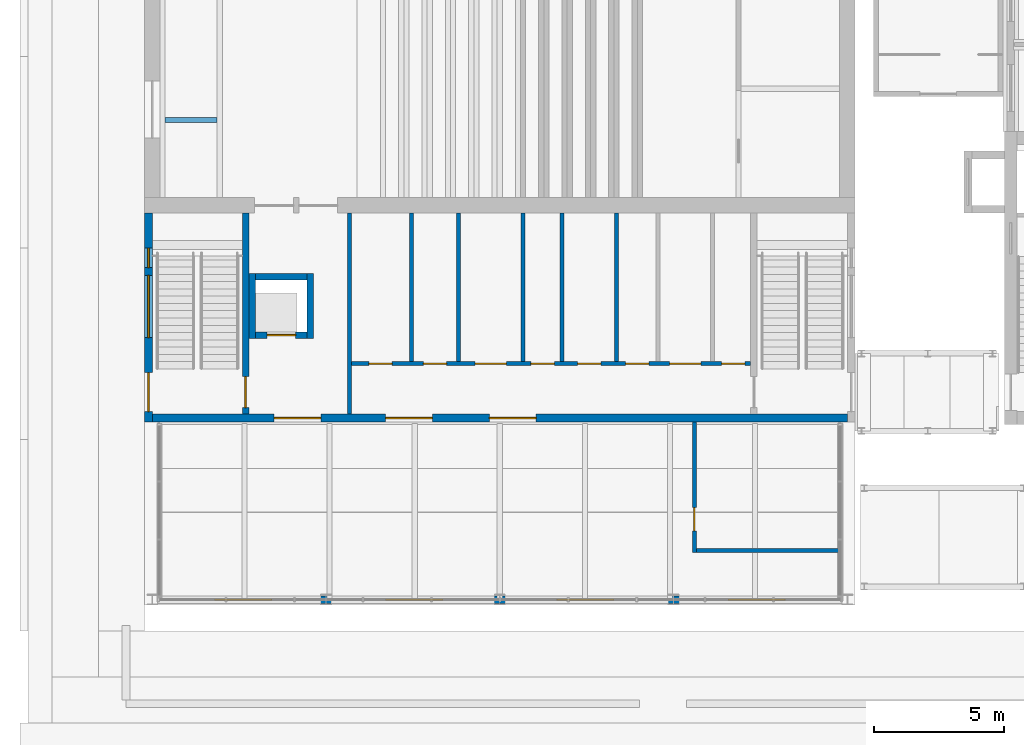
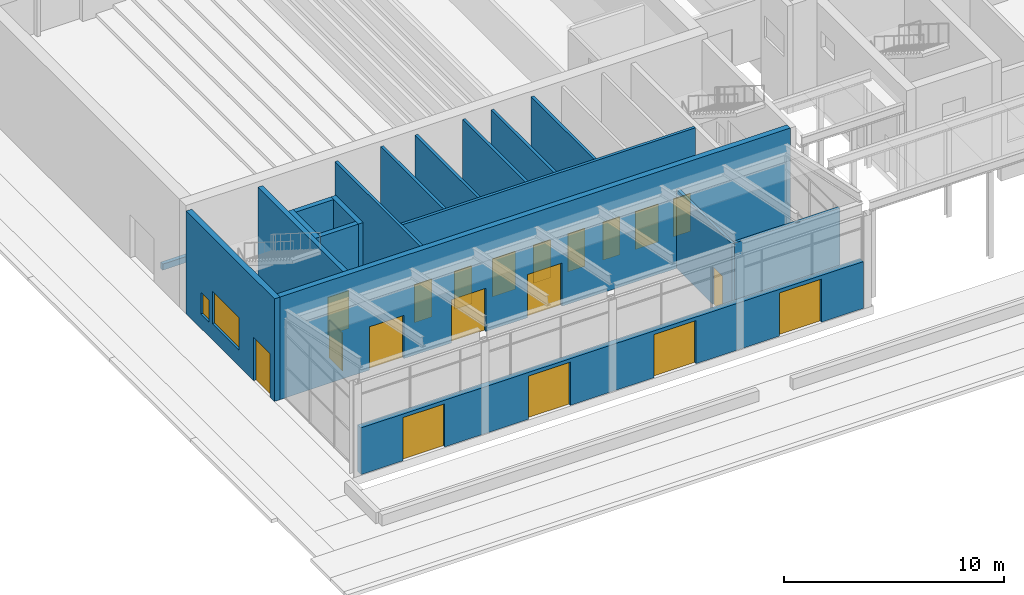
# One storey, part 45 of 71: 19 doors, 18 walls, 2 windows, 21 openings.
"""IFC4 building model written with IfcOpenShell, lengths in metres."""

from ifc_helpers import new_model, si_unit, direction, frame, frame_2d, origin, place, context, subcontext, project, spatial, rectangle, extrude, material, layer, layer_set, type_object, element, fill, save


model = new_model("IFC4")

# Units and contexts
model_context = context("Model", 3, precision=1e-05, world=origin(), true_north=direction((0.0, 1.0)))
body_context = subcontext(model_context, "Body", "Model", "MODEL_VIEW")
ifc_project = project(units=[si_unit("LENGTHUNIT", "METRE"), si_unit("AREAUNIT", "SQUARE_METRE"), si_unit("VOLUMEUNIT", "CUBIC_METRE"), si_unit("PLANEANGLEUNIT", "RADIAN"), si_unit("MASSUNIT", "GRAM", prefix="KILO")], contexts=[model_context])

# Site, building, storey
site_placement = place(None, origin())
site = spatial("IfcSite", under=ifc_project, at=site_placement, CompositionType="ELEMENT")
building_placement = place(site_placement, origin())
building = spatial("IfcBuilding", under=site, at=building_placement, Name="Basin Gate Institute", CompositionType="ELEMENT")
storey_placement = place(building_placement, origin())
storey = spatial("IfcBuildingStorey", under=building, at=storey_placement, Name="L00", CompositionType="ELEMENT", Elevation=0.0)

# Wall, opening, door
ifc_material_1 = material(Name="Concrete 40 MPa", Category="concrete")
ifc_layer_1 = layer(ifc_material_1, 0.25)
ifc_layer_set_1 = layer_set([ifc_layer_1], Name="Concrete 40 MPa")
wall_type_1 = type_object("IfcWallType", Name="Block enclosure wall W73 REI 120", PredefinedType="SOLIDWALL", material=ifc_layer_set_1)
wall_1_placement = place(storey_placement, frame((31.699951171875, 35.25, 0.0), z_axis=(0.0, 0.0, 1.0), x_axis=(0.0, 1.0, 0.0)))
wall_1 = element("IfcWall", 1, at=wall_1_placement, inside=storey, type_object=wall_type_1, material=ifc_layer_set_1, Name="Block enclosure wall PW L00", PredefinedType="SOLIDWALL", context=body_context, shape_type="SweptSolid", body=[
    extrude(rectangle(XDim=7.75, YDim=0.25, at=frame_2d((3.875, 0.0))), origin(), (0.0, 0.0, 1.0), 5.699951171875),
])
opening_1_placement = place(wall_1_placement, frame((0.25, 0.0, 0.0)))
opening_1 = element("IfcOpeningElement", 2, at=opening_1_placement, cuts=wall_1, Name="Opening D903", PredefinedType="OPENING", context=body_context, shape_type="SweptSolid", body=[
    extrude(rectangle(XDim=1.199951171875, YDim=2.10009765625, at=frame_2d((0.60009765625, 1.050048828125))), frame((0.0, 0.135009765625, 0.0), z_axis=(0.0, -1.0, 0.0), x_axis=(1.0, 0.0, 0.0)), (0.0, 0.0, 1.0), 0.27001953125),
])
ifc_material_2 = material(Name="Steel fire door leaf", Category="steel")
door_type_1 = type_object("IfcDoorType", Name="FD60 door 1200 single swing", OperationType="NOTDEFINED", PredefinedType="DOOR", material=ifc_material_2)
door_1_placement = place(opening_1_placement, origin())
door_1 = element("IfcDoor", 3, at=door_1_placement, inside=storey, type_object=door_type_1, material=ifc_material_2, Name="Stair door ST-T1", OperationType="SINGLE_SWING_LEFT", OverallHeight=2.10009765625, OverallWidth=1.199951171875, PredefinedType="DOOR", context=body_context, shape_type="SweptSolid", body=[
    extrude(rectangle(XDim=1.199951171875, YDim=2.10009765625, at=frame_2d((0.60009765625, 1.050048828125))), frame((0.0, 0.02490234375, 0.0), z_axis=(0.0, -1.0, 0.0), x_axis=(1.0, 0.0, 0.0)), (0.0, 0.0, 1.0), 0.050048828125),
])
fill(opening_1, door_1)

# Wall, openings, windows, door
ifc_material_3 = material(Name="Concrete 40 MPa", Category="concrete")
ifc_layer_2 = layer(ifc_material_3, 0.300048828125)
ifc_layer_set_2 = layer_set([ifc_layer_2], Name="Concrete 40 MPa")
wall_type_2 = type_object("IfcWallType", Name="Block external wall W71 REI 180", PredefinedType="SOLIDWALL", material=ifc_layer_set_2)
wall_2_placement = place(storey_placement, frame((27.949951171875, 34.949951171875, 0.0), z_axis=(0.0, 0.0, 1.0), x_axis=(0.0, 1.0, 0.0)))
wall_2 = element("IfcWall", 4, at=wall_2_placement, inside=storey, type_object=wall_type_2, material=ifc_layer_set_2, Name="Block external wall R180 SE0 L00", PredefinedType="SOLIDWALL", context=body_context, shape_type="SweptSolid", body=[
    extrude(rectangle(XDim=8.050048828125, YDim=0.300048828125, at=frame_2d((4.02490234375, 0.0))), origin(), (0.0, 0.0, 1.0), 5.699951171875),
])
opening_2_placement = place(wall_2_placement, frame((0.39990234375, 0.0, 0.0)))
opening_2 = element("IfcOpeningElement", 5, at=opening_2_placement, cuts=wall_2, Name="Opening D901", PredefinedType="OPENING", context=body_context, shape_type="SweptSolid", body=[
    extrude(rectangle(XDim=1.5, YDim=2.39990234375, at=frame_2d((0.75, 1.199951171875))), frame((0.0, 0.16015625, 0.0), z_axis=(0.0, -1.0, 0.0), x_axis=(1.0, 0.0, 0.0)), (0.0, 0.0, 1.0), 0.320068359375),
])
opening_3_placement = place(wall_2_placement, frame((3.25, 0.0, 0.89990234375)))
opening_3 = element("IfcOpeningElement", 6, at=opening_3_placement, cuts=wall_2, Name="Opening WN901", PredefinedType="OPENING", context=body_context, shape_type="SweptSolid", body=[
    extrude(rectangle(XDim=2.39990234375, YDim=1.800048828125, at=frame_2d((1.199951171875, 0.89990234375))), frame((0.0, 0.16015625, 0.0), z_axis=(0.0, -1.0, 0.0), x_axis=(1.0, 0.0, 0.0)), (0.0, 0.0, 1.0), 0.320068359375),
])
opening_4_placement = place(wall_2_placement, frame((5.949951171875, 0.0, 0.800048828125)))
opening_4 = element("IfcOpeningElement", 7, at=opening_4_placement, cuts=wall_2, Name="Opening WN902", PredefinedType="OPENING", context=body_context, shape_type="SweptSolid", body=[
    extrude(rectangle(XDim=0.75, YDim=1.199951171875, at=frame_2d((0.375, 0.60009765625))), frame((0.0, 0.16015625, 0.0), z_axis=(0.0, -1.0, 0.0), x_axis=(1.0, 0.0, 0.0)), (0.0, 0.0, 1.0), 0.320068359375),
])
ifc_material_4 = material(Name="Aluminium frame with toughened glass", Category="aluminium")
window_type_1 = type_object("IfcWindowType", Name="Block emergency entry panel 750x1200", PartitioningType="SINGLE_PANEL", PredefinedType="WINDOW", material=ifc_material_4)
window_1_placement = place(opening_4_placement, origin())
window_1 = element("IfcWindow", 8, at=window_1_placement, inside=storey, type_object=window_type_1, material=ifc_material_4, Name="Theatre emergency entry panel", OverallHeight=1.199951171875, OverallWidth=0.75, PartitioningType="SINGLE_PANEL", PredefinedType="WINDOW", context=body_context, shape_type="SweptSolid", body=[
    extrude(rectangle(XDim=0.75, YDim=1.199951171875, at=frame_2d((0.375, 0.60009765625))), frame((0.0, 0.030029296875, 0.0), z_axis=(0.0, -1.0, 0.0), x_axis=(1.0, 0.0, 0.0)), (0.0, 0.0, 1.0), 0.06005859375),
])
fill(opening_4, window_1)
ifc_material_5 = material(Name="Aluminium frame with double glazing", Category="aluminium")
window_type_2 = type_object("IfcWindowType", Name="Block window 2400x1800", PartitioningType="DOUBLE_PANEL_VERTICAL", PredefinedType="WINDOW", material=ifc_material_5)
window_2_placement = place(opening_3_placement, origin())
window_2 = element("IfcWindow", 9, at=window_2_placement, inside=storey, type_object=window_type_2, material=ifc_material_5, Name="Theatre window", OverallHeight=1.800048828125, OverallWidth=2.39990234375, PartitioningType="SINGLE_PANEL", PredefinedType="WINDOW", context=body_context, shape_type="SweptSolid", body=[
    extrude(rectangle(XDim=2.39990234375, YDim=1.800048828125, at=frame_2d((1.199951171875, 0.89990234375))), frame((0.0, 0.030029296875, 0.0), z_axis=(0.0, -1.0, 0.0), x_axis=(1.0, 0.0, 0.0)), (0.0, 0.0, 1.0), 0.06005859375),
])
fill(opening_3, window_2)
ifc_material_6 = material(Name="Steel fire door leaf with fire-rated glazed vision panel", Category="steel")
door_type_2 = type_object("IfcDoorType", Name="FD60 Exit door 1500 single swing", OperationType="NOTDEFINED", PredefinedType="DOOR", material=ifc_material_6)
door_2_placement = place(opening_2_placement, origin())
door_2 = element("IfcDoor", 10, at=door_2_placement, inside=storey, type_object=door_type_2, material=ifc_material_6, Name="Final exit Theatre stair ST-T1", OperationType="SINGLE_SWING_LEFT", OverallHeight=2.39990234375, OverallWidth=1.5, PredefinedType="DOOR", context=body_context, shape_type="SweptSolid", body=[
    extrude(rectangle(XDim=1.5, YDim=2.39990234375, at=frame_2d((0.75, 1.199951171875))), frame((0.0, 0.02490234375, 0.0), z_axis=(0.0, -1.0, 0.0), x_axis=(1.0, 0.0, 0.0)), (0.0, 0.0, 1.0), 0.050048828125),
])
fill(opening_2, door_2)

# Wall, openings, doors
wall_3_placement = place(storey_placement, frame((28.10009765625, 35.10009765625, 0.0), z_axis=(0.0, 0.0, 1.0), x_axis=(1.0, 0.0, 0.0)))
wall_3 = element("IfcWall", 11, at=wall_3_placement, inside=storey, type_object=wall_type_2, material=ifc_layer_set_2, Name="Block external wall R180 SF L00", PredefinedType="SOLIDWALL", context=body_context, shape_type="SweptSolid", body=[
    extrude(rectangle(XDim=26.7998046875, YDim=0.300048828125, at=frame_2d((13.39990234375, 0.0))), origin(), (0.0, 0.0, 1.0), 5.699951171875),
])
opening_5_placement = place(wall_3_placement, frame((4.699951171875, 0.0, 0.0)))
opening_5 = element("IfcOpeningElement", 12, at=opening_5_placement, cuts=wall_3, Name="Opening D905", PredefinedType="OPENING", context=body_context, shape_type="SweptSolid", body=[
    extrude(rectangle(XDim=1.800048828125, YDim=2.39990234375, at=frame_2d((0.89990234375, 1.199951171875))), frame((0.0, 0.16015625, 0.0), z_axis=(0.0, -1.0, 0.0), x_axis=(1.0, 0.0, 0.0)), (0.0, 0.0, 1.0), 0.320068359375),
])
opening_6_placement = place(wall_3_placement, frame((9.0, 0.0, 0.0)))
opening_6 = element("IfcOpeningElement", 13, at=opening_6_placement, cuts=wall_3, Name="Opening D906", PredefinedType="OPENING", context=body_context, shape_type="SweptSolid", body=[
    extrude(rectangle(XDim=1.800048828125, YDim=2.39990234375, at=frame_2d((0.89990234375, 1.199951171875))), frame((0.0, 0.16015625, 0.0), z_axis=(0.0, -1.0, 0.0), x_axis=(1.0, 0.0, 0.0)), (0.0, 0.0, 1.0), 0.320068359375),
])
opening_7_placement = place(wall_3_placement, frame((13.0, 0.0, 0.0)))
opening_7 = element("IfcOpeningElement", 14, at=opening_7_placement, cuts=wall_3, Name="Opening D907", PredefinedType="OPENING", context=body_context, shape_type="SweptSolid", body=[
    extrude(rectangle(XDim=1.800048828125, YDim=2.39990234375, at=frame_2d((0.89990234375, 1.199951171875))), frame((0.0, 0.16015625, 0.0), z_axis=(0.0, -1.0, 0.0), x_axis=(1.0, 0.0, 0.0)), (0.0, 0.0, 1.0), 0.320068359375),
])
ifc_material_7 = material(Name="Steel door leaf with glazed vision panel", Category="steel")
door_type_3 = type_object("IfcDoorType", Name="Block door 1800 double swing", OperationType="DOUBLE_DOOR_SINGLE_SWING", PredefinedType="DOOR", material=ifc_material_7)
door_3_placement = place(opening_5_placement, frame((1.800048828125, 0.0, 0.0), z_axis=(0.0, 0.0, 1.0), x_axis=(-1.0, 0.0, 0.0)))
door_3 = element("IfcDoor", 15, at=door_3_placement, inside=storey, type_object=door_type_3, material=ifc_material_7, Name="Theatre lobby door", OperationType="DOUBLE_DOOR_SINGLE_SWING", OverallHeight=2.39990234375, OverallWidth=1.800048828125, PredefinedType="DOOR", context=body_context, shape_type="SweptSolid", body=[
    extrude(rectangle(XDim=1.800048828125, YDim=2.39990234375, at=frame_2d((0.89990234375, 1.199951171875))), frame((0.0, 0.02490234375, 0.0), z_axis=(0.0, -1.0, 0.0), x_axis=(1.0, 0.0, 0.0)), (0.0, 0.0, 1.0), 0.050048828125),
])
fill(opening_5, door_3)
door_4_placement = place(opening_6_placement, origin())
door_4 = element("IfcDoor", 16, at=door_4_placement, inside=storey, type_object=door_type_3, material=ifc_material_7, Name="Theatre foyer door 1", OperationType="DOUBLE_DOOR_SINGLE_SWING", OverallHeight=2.39990234375, OverallWidth=1.800048828125, PredefinedType="DOOR", context=body_context, shape_type="SweptSolid", body=[
    extrude(rectangle(XDim=1.800048828125, YDim=2.39990234375, at=frame_2d((0.89990234375, 1.199951171875))), frame((0.0, 0.02490234375, 0.0), z_axis=(0.0, -1.0, 0.0), x_axis=(1.0, 0.0, 0.0)), (0.0, 0.0, 1.0), 0.050048828125),
])
fill(opening_6, door_4)
door_5_placement = place(opening_7_placement, origin())
door_5 = element("IfcDoor", 17, at=door_5_placement, inside=storey, type_object=door_type_3, material=ifc_material_7, Name="Theatre foyer door 2", OperationType="DOUBLE_DOOR_SINGLE_SWING", OverallHeight=2.39990234375, OverallWidth=1.800048828125, PredefinedType="DOOR", context=body_context, shape_type="SweptSolid", body=[
    extrude(rectangle(XDim=1.800048828125, YDim=2.39990234375, at=frame_2d((0.89990234375, 1.199951171875))), frame((0.0, 0.02490234375, 0.0), z_axis=(0.0, -1.0, 0.0), x_axis=(1.0, 0.0, 0.0)), (0.0, 0.0, 1.0), 0.050048828125),
])
fill(opening_7, door_5)

wall_4_placement = place(storey_placement, frame((28.300048828125, 28.10009765625, 0.0), z_axis=(0.0, 0.0, 1.0), x_axis=(1.0, 0.0, 0.0)))
wall_4 = element("IfcWall", 18, at=wall_4_placement, inside=storey, type_object=wall_type_2, material=ifc_layer_set_2, Name="Foyer front base wall", PredefinedType="SOLIDWALL", context=body_context, shape_type="SweptSolid", body=[
    extrude(rectangle(XDim=26.39990234375, YDim=0.300048828125, at=frame_2d((13.199951171875, 0.0))), origin(), (0.0, 0.0, 1.0), 2.60009765625),
])
opening_8_placement = place(wall_4_placement, frame((2.199951171875, 0.0, 0.0)))
opening_8 = element("IfcOpeningElement", 19, at=opening_8_placement, cuts=wall_4, Name="Opening D934", PredefinedType="OPENING", context=body_context, shape_type="SweptSolid", body=[
    extrude(rectangle(XDim=2.199951171875, YDim=2.39990234375, at=frame_2d((1.10009765625, 1.199951171875))), frame((0.0, 0.16015625, 0.0), z_axis=(0.0, -1.0, 0.0), x_axis=(1.0, 0.0, 0.0)), (0.0, 0.0, 1.0), 0.320068359375),
])
opening_9_placement = place(wall_4_placement, frame((8.800048828125, 0.0, 0.0)))
opening_9 = element("IfcOpeningElement", 20, at=opening_9_placement, cuts=wall_4, Name="Opening D935", PredefinedType="OPENING", context=body_context, shape_type="SweptSolid", body=[
    extrude(rectangle(XDim=2.199951171875, YDim=2.39990234375, at=frame_2d((1.10009765625, 1.199951171875))), frame((0.0, 0.16015625, 0.0), z_axis=(0.0, -1.0, 0.0), x_axis=(1.0, 0.0, 0.0)), (0.0, 0.0, 1.0), 0.320068359375),
])
opening_10_placement = place(wall_4_placement, frame((15.39990234375, 0.0, 0.0)))
opening_10 = element("IfcOpeningElement", 21, at=opening_10_placement, cuts=wall_4, Name="Opening D936", PredefinedType="OPENING", context=body_context, shape_type="SweptSolid", body=[
    extrude(rectangle(XDim=2.199951171875, YDim=2.39990234375, at=frame_2d((1.10009765625, 1.199951171875))), frame((0.0, 0.16015625, 0.0), z_axis=(0.0, -1.0, 0.0), x_axis=(1.0, 0.0, 0.0)), (0.0, 0.0, 1.0), 0.320068359375),
])
opening_11_placement = place(wall_4_placement, frame((22.0, 0.0, 0.0)))
opening_11 = element("IfcOpeningElement", 22, at=opening_11_placement, cuts=wall_4, Name="Opening D937", PredefinedType="OPENING", context=body_context, shape_type="SweptSolid", body=[
    extrude(rectangle(XDim=2.199951171875, YDim=2.39990234375, at=frame_2d((1.10009765625, 1.199951171875))), frame((0.0, 0.16015625, 0.0), z_axis=(0.0, -1.0, 0.0), x_axis=(1.0, 0.0, 0.0)), (0.0, 0.0, 1.0), 0.320068359375),
])
ifc_material_8 = material(Name="Aluminium frame with toughened glass", Category="aluminium")
door_type_4 = type_object("IfcDoorType", Name="Automatic sliding door 2200", OperationType="SLIDING_TO_LEFT", PredefinedType="DOOR", material=ifc_material_8)
door_6_placement = place(opening_8_placement, frame((2.199951171875, 0.0, 0.0), z_axis=(0.0, 0.0, 1.0), x_axis=(-1.0, 0.0, 0.0)))
door_6 = element("IfcDoor", 23, at=door_6_placement, inside=storey, type_object=door_type_4, material=ifc_material_8, Name="Main entrance Foyer 1", OperationType="SLIDING_TO_RIGHT", OverallHeight=2.39990234375, OverallWidth=2.199951171875, PredefinedType="DOOR", context=body_context, shape_type="SweptSolid", body=[
    extrude(rectangle(XDim=2.199951171875, YDim=2.39990234375, at=frame_2d((1.10009765625, 1.199951171875))), frame((0.0, 0.02490234375, 0.0), z_axis=(0.0, -1.0, 0.0), x_axis=(1.0, 0.0, 0.0)), (0.0, 0.0, 1.0), 0.050048828125),
])
fill(opening_8, door_6)
door_7_placement = place(opening_9_placement, frame((2.199951171875, 0.0, 0.0), z_axis=(0.0, 0.0, 1.0), x_axis=(-1.0, 0.0, 0.0)))
door_7 = element("IfcDoor", 24, at=door_7_placement, inside=storey, type_object=door_type_4, material=ifc_material_8, Name="Main entrance Foyer 2", OperationType="SLIDING_TO_RIGHT", OverallHeight=2.39990234375, OverallWidth=2.199951171875, PredefinedType="DOOR", context=body_context, shape_type="SweptSolid", body=[
    extrude(rectangle(XDim=2.199951171875, YDim=2.39990234375, at=frame_2d((1.10009765625, 1.199951171875))), frame((0.0, 0.02490234375, 0.0), z_axis=(0.0, -1.0, 0.0), x_axis=(1.0, 0.0, 0.0)), (0.0, 0.0, 1.0), 0.050048828125),
])
fill(opening_9, door_7)
door_8_placement = place(opening_10_placement, frame((2.199951171875, 0.0, 0.0), z_axis=(0.0, 0.0, 1.0), x_axis=(-1.0, 0.0, 0.0)))
door_8 = element("IfcDoor", 25, at=door_8_placement, inside=storey, type_object=door_type_4, material=ifc_material_8, Name="Main entrance Foyer 3", OperationType="SLIDING_TO_RIGHT", OverallHeight=2.39990234375, OverallWidth=2.199951171875, PredefinedType="DOOR", context=body_context, shape_type="SweptSolid", body=[
    extrude(rectangle(XDim=2.199951171875, YDim=2.39990234375, at=frame_2d((1.10009765625, 1.199951171875))), frame((0.0, 0.02490234375, 0.0), z_axis=(0.0, -1.0, 0.0), x_axis=(1.0, 0.0, 0.0)), (0.0, 0.0, 1.0), 0.050048828125),
])
fill(opening_10, door_8)
door_9_placement = place(opening_11_placement, frame((2.199951171875, 0.0, 0.0), z_axis=(0.0, 0.0, 1.0), x_axis=(-1.0, 0.0, 0.0)))
door_9 = element("IfcDoor", 26, at=door_9_placement, inside=storey, type_object=door_type_4, material=ifc_material_8, Name="Main entrance Foyer 4", OperationType="SLIDING_TO_RIGHT", OverallHeight=2.39990234375, OverallWidth=2.199951171875, PredefinedType="DOOR", context=body_context, shape_type="SweptSolid", body=[
    extrude(rectangle(XDim=2.199951171875, YDim=2.39990234375, at=frame_2d((1.10009765625, 1.199951171875))), frame((0.0, 0.02490234375, 0.0), z_axis=(0.0, -1.0, 0.0), x_axis=(1.0, 0.0, 0.0)), (0.0, 0.0, 1.0), 0.050048828125),
])
fill(opening_11, door_9)

# Walls
ifc_material_9 = material(Name="Gypsum board partition on steel studs", Category="steel")
ifc_layer_3 = layer(ifc_material_9, 0.14990234375)
ifc_layer_set_3 = layer_set([ifc_layer_3], Name="Gypsum board partition on steel studs")
wall_type_3 = type_object("IfcWallType", Name="Block partition PW71 unrated", PredefinedType="SOLIDWALL", material=ifc_layer_set_3)
wall_5_placement = place(storey_placement, frame((35.699951171875, 35.25, 0.0), z_axis=(0.0, 0.0, 1.0), x_axis=(0.0, 1.0, 0.0)))
element("IfcWall", 27, at=wall_5_placement, inside=storey, type_object=wall_type_3, material=ifc_layer_set_3, Name="Block partition PL L00", PredefinedType="SOLIDWALL", context=body_context, shape_type="SweptSolid", body=[
    extrude(rectangle(XDim=7.75, YDim=0.14990234375, at=frame_2d((3.875, 0.0))), origin(), (0.0, 0.0, 1.0), 5.699951171875),
])
for number, where, z_axis, x_axis, name in (
    (28, (38.10009765625, 37.27490234375, 0.0), (0.0, 0.0, 1.0), (0.0, 1.0, 0.0), "Block partition RW0 L00"),
    (29, (39.89990234375, 37.27490234375, 0.0), (0.0, 0.0, 1.0), (0.0, 1.0, 0.0), "Block partition RW1 L00"),
    (30, (42.39990234375, 37.27490234375, 0.0), (0.0, 0.0, 1.0), (0.0, 1.0, 0.0), "Block partition RW2 L00"),
    (31, (43.89990234375, 37.27490234375, 0.0), (0.0, 0.0, 1.0), (0.0, 1.0, 0.0), "Block partition RW3 L00"),
    (32, (46.0, 37.27490234375, 0.0), (0.0, 0.0, 1.0), (0.0, 1.0, 0.0), "Block partition RW4 L00"),
):
    element("IfcWall", number, at=place(storey_placement, frame(where, z_axis=z_axis, x_axis=x_axis)), inside=storey, type_object=wall_type_3, material=ifc_layer_set_3, Name=name, PredefinedType="SOLIDWALL", context=body_context, shape_type="SweptSolid", body=[
        extrude(rectangle(XDim=5.72509765625, YDim=0.14990234375, at=frame_2d((2.862548828125, 0.0))), origin(), (0.0, 0.0, 1.0), 5.699951171875),
    ])

# Wall, opening, door
wall_6_placement = place(storey_placement, frame((49.0, 29.925048828125, 0.0), z_axis=(0.0, 0.0, 1.0), x_axis=(0.0, 1.0, 0.0)))
wall_6 = element("IfcWall", 33, at=wall_6_placement, inside=storey, type_object=wall_type_3, material=ifc_layer_set_3, Name="Coffee point partition west", PredefinedType="SOLIDWALL", context=body_context, shape_type="SweptSolid", body=[
    extrude(rectangle(XDim=5.02490234375, YDim=0.14990234375, at=frame_2d((2.512451171875, 0.0))), origin(), (0.0, 0.0, 1.0), 4.39990234375),
])
opening_12_placement = place(wall_6_placement, frame((0.824951171875, 0.0, 0.0)))
opening_12 = element("IfcOpeningElement", 34, at=opening_12_placement, cuts=wall_6, Name="Opening D938", PredefinedType="OPENING", context=body_context, shape_type="SweptSolid", body=[
    extrude(rectangle(XDim=0.89990234375, YDim=2.10009765625, at=frame_2d((0.449951171875, 1.050048828125))), frame((0.0, 0.0849609375, 0.0), z_axis=(0.0, -1.0, 0.0), x_axis=(1.0, 0.0, 0.0)), (0.0, 0.0, 1.0), 0.169921875),
])
ifc_material_10 = material(Name="Timber door leaf in steel frame", Category="steel")
door_type_5 = type_object("IfcDoorType", Name="Block door 900 single swing", OperationType="NOTDEFINED", PredefinedType="DOOR", material=ifc_material_10)
door_10_placement = place(opening_12_placement, origin())
door_10 = element("IfcDoor", 35, at=door_10_placement, inside=storey, type_object=door_type_5, material=ifc_material_10, Name="Coffee point door", OperationType="SINGLE_SWING_LEFT", OverallHeight=2.10009765625, OverallWidth=0.89990234375, PredefinedType="DOOR", context=body_context, shape_type="SweptSolid", body=[
    extrude(rectangle(XDim=0.89990234375, YDim=2.10009765625, at=frame_2d((0.449951171875, 1.050048828125))), frame((0.0, 0.02490234375, 0.0), z_axis=(0.0, -1.0, 0.0), x_axis=(1.0, 0.0, 0.0)), (0.0, 0.0, 1.0), 0.050048828125),
])
fill(opening_12, door_10)

# Wall
wall_7_placement = place(storey_placement, frame((49.074951171875, 30.0, 0.0), z_axis=(0.0, 0.0, 1.0), x_axis=(1.0, 0.0, 0.0)))
element("IfcWall", 36, at=wall_7_placement, inside=storey, type_object=wall_type_3, material=ifc_layer_set_3, Name="Coffee point partition south", PredefinedType="SOLIDWALL", context=body_context, shape_type="SweptSolid", body=[
    extrude(rectangle(XDim=5.525146484375, YDim=0.14990234375, at=frame_2d((2.7626953125, 0.0))), origin(), (0.0, 0.0, 1.0), 4.39990234375),
])

# Wall, openings, doors
ifc_material_11 = material(Name="Gypsum board partition on steel studs, 60 minute", Category="steel")
ifc_layer_4 = layer(ifc_material_11, 0.14990234375)
ifc_layer_set_4 = layer_set([ifc_layer_4], Name="Gypsum board partition on steel studs, 60 minute")
wall_type_4 = type_object("IfcWallType", Name="Block partition PW72 EI 60", PredefinedType="SOLIDWALL", material=ifc_layer_set_4)
wall_8_placement = place(storey_placement, frame((35.77490234375, 37.199951171875, 0.0), z_axis=(0.0, 0.0, 1.0), x_axis=(1.0, 0.0, 0.0)))
wall_8 = element("IfcWall", 37, at=wall_8_placement, inside=storey, type_object=wall_type_4, material=ifc_layer_set_4, Name="Block partition PC L00", PredefinedType="SOLIDWALL", context=body_context, shape_type="SweptSolid", body=[
    extrude(rectangle(XDim=15.400146484375, YDim=0.14990234375, at=frame_2d((7.7001953125, 0.0))), origin(), (0.0, 0.0, 1.0), 5.699951171875),
])
opening_13_placement = place(wall_8_placement, frame((0.675048828125, 0.0, 0.0)))
opening_13 = element("IfcOpeningElement", 38, at=opening_13_placement, cuts=wall_8, Name="Opening D917", PredefinedType="OPENING", context=body_context, shape_type="SweptSolid", body=[
    extrude(rectangle(XDim=0.89990234375, YDim=2.10009765625, at=frame_2d((0.449951171875, 1.050048828125))), frame((0.0, 0.0849609375, 0.0), z_axis=(0.0, -1.0, 0.0), x_axis=(1.0, 0.0, 0.0)), (0.0, 0.0, 1.0), 0.169921875),
])
opening_14_placement = place(wall_8_placement, frame((2.77490234375, 0.0, 0.0)))
opening_14 = element("IfcOpeningElement", 39, at=opening_14_placement, cuts=wall_8, Name="Opening D918", PredefinedType="OPENING", context=body_context, shape_type="SweptSolid", body=[
    extrude(rectangle(XDim=0.89990234375, YDim=2.10009765625, at=frame_2d((0.449951171875, 1.050048828125))), frame((0.0, 0.0849609375, 0.0), z_axis=(0.0, -1.0, 0.0), x_axis=(1.0, 0.0, 0.0)), (0.0, 0.0, 1.0), 0.169921875),
])
opening_15_placement = place(wall_8_placement, frame((4.77490234375, 0.0, 0.0)))
opening_15 = element("IfcOpeningElement", 40, at=opening_15_placement, cuts=wall_8, Name="Opening D919", PredefinedType="OPENING", context=body_context, shape_type="SweptSolid", body=[
    extrude(rectangle(XDim=1.199951171875, YDim=2.10009765625, at=frame_2d((0.60009765625, 1.050048828125))), frame((0.0, 0.0849609375, 0.0), z_axis=(0.0, -1.0, 0.0), x_axis=(1.0, 0.0, 0.0)), (0.0, 0.0, 1.0), 0.169921875),
])
opening_16_placement = place(wall_8_placement, frame((6.925048828125, 0.0, 0.0)))
opening_16 = element("IfcOpeningElement", 41, at=opening_16_placement, cuts=wall_8, Name="Opening D920", PredefinedType="OPENING", context=body_context, shape_type="SweptSolid", body=[
    extrude(rectangle(XDim=0.89990234375, YDim=2.10009765625, at=frame_2d((0.449951171875, 1.050048828125))), frame((0.0, 0.0849609375, 0.0), z_axis=(0.0, -1.0, 0.0), x_axis=(1.0, 0.0, 0.0)), (0.0, 0.0, 1.0), 0.169921875),
])
opening_17_placement = place(wall_8_placement, frame((8.72509765625, 0.0, 0.0)))
opening_17 = element("IfcOpeningElement", 42, at=opening_17_placement, cuts=wall_8, Name="Opening D921", PredefinedType="OPENING", context=body_context, shape_type="SweptSolid", body=[
    extrude(rectangle(XDim=0.89990234375, YDim=2.10009765625, at=frame_2d((0.449951171875, 1.050048828125))), frame((0.0, 0.0849609375, 0.0), z_axis=(0.0, -1.0, 0.0), x_axis=(1.0, 0.0, 0.0)), (0.0, 0.0, 1.0), 0.169921875),
])
opening_18_placement = place(wall_8_placement, frame((10.574951171875, 0.0, 0.0)))
opening_18 = element("IfcOpeningElement", 43, at=opening_18_placement, cuts=wall_8, Name="Opening D922", PredefinedType="OPENING", context=body_context, shape_type="SweptSolid", body=[
    extrude(rectangle(XDim=0.89990234375, YDim=2.10009765625, at=frame_2d((0.449951171875, 1.050048828125))), frame((0.0, 0.0849609375, 0.0), z_axis=(0.0, -1.0, 0.0), x_axis=(1.0, 0.0, 0.0)), (0.0, 0.0, 1.0), 0.169921875),
])
opening_19_placement = place(wall_8_placement, frame((12.27490234375, 0.0, 0.0)))
opening_19 = element("IfcOpeningElement", 44, at=opening_19_placement, cuts=wall_8, Name="Opening D923", PredefinedType="OPENING", context=body_context, shape_type="SweptSolid", body=[
    extrude(rectangle(XDim=1.199951171875, YDim=2.10009765625, at=frame_2d((0.60009765625, 1.050048828125))), frame((0.0, 0.0849609375, 0.0), z_axis=(0.0, -1.0, 0.0), x_axis=(1.0, 0.0, 0.0)), (0.0, 0.0, 1.0), 0.169921875),
])
opening_20_placement = place(wall_8_placement, frame((14.27490234375, 0.0, 0.0)))
opening_20 = element("IfcOpeningElement", 45, at=opening_20_placement, cuts=wall_8, Name="Opening D924", PredefinedType="OPENING", context=body_context, shape_type="SweptSolid", body=[
    extrude(rectangle(XDim=0.89990234375, YDim=2.10009765625, at=frame_2d((0.449951171875, 1.050048828125))), frame((0.0, 0.0849609375, 0.0), z_axis=(0.0, -1.0, 0.0), x_axis=(1.0, 0.0, 0.0)), (0.0, 0.0, 1.0), 0.169921875),
])
ifc_material_12 = material(Name="Timber door leaf in steel frame", Category="steel")
door_type_6 = type_object("IfcDoorType", Name="Block door 1200 single swing", OperationType="NOTDEFINED", PredefinedType="DOOR", material=ifc_material_12)
door_11_placement = place(opening_19_placement, origin())
door_11 = element("IfcDoor", 46, at=door_11_placement, inside=storey, type_object=door_type_6, material=ifc_material_12, Name="Accessible WC door", OperationType="SINGLE_SWING_LEFT", OverallHeight=2.10009765625, OverallWidth=1.199951171875, PredefinedType="DOOR", context=body_context, shape_type="SweptSolid", body=[
    extrude(rectangle(XDim=1.199951171875, YDim=2.10009765625, at=frame_2d((0.60009765625, 1.050048828125))), frame((0.0, 0.02490234375, 0.0), z_axis=(0.0, -1.0, 0.0), x_axis=(1.0, 0.0, 0.0)), (0.0, 0.0, 1.0), 0.050048828125),
])
fill(opening_19, door_11)
door_12_placement = place(opening_13_placement, origin())
door_12 = element("IfcDoor", 47, at=door_12_placement, inside=storey, type_object=door_type_5, material=ifc_material_10, Name="Speaker Green Room door", OperationType="SINGLE_SWING_LEFT", OverallHeight=2.10009765625, OverallWidth=0.89990234375, PredefinedType="DOOR", context=body_context, shape_type="SweptSolid", body=[
    extrude(rectangle(XDim=0.89990234375, YDim=2.10009765625, at=frame_2d((0.449951171875, 1.050048828125))), frame((0.0, 0.02490234375, 0.0), z_axis=(0.0, -1.0, 0.0), x_axis=(1.0, 0.0, 0.0)), (0.0, 0.0, 1.0), 0.050048828125),
])
fill(opening_13, door_12)
door_13_placement = place(opening_14_placement, origin())
door_13 = element("IfcDoor", 48, at=door_13_placement, inside=storey, type_object=door_type_5, material=ifc_material_10, Name="AV Store door", OperationType="SINGLE_SWING_LEFT", OverallHeight=2.10009765625, OverallWidth=0.89990234375, PredefinedType="DOOR", context=body_context, shape_type="SweptSolid", body=[
    extrude(rectangle(XDim=0.89990234375, YDim=2.10009765625, at=frame_2d((0.449951171875, 1.050048828125))), frame((0.0, 0.02490234375, 0.0), z_axis=(0.0, -1.0, 0.0), x_axis=(1.0, 0.0, 0.0)), (0.0, 0.0, 1.0), 0.050048828125),
])
fill(opening_14, door_13)
door_14_placement = place(opening_16_placement, origin())
door_14 = element("IfcDoor", 49, at=door_14_placement, inside=storey, type_object=door_type_5, material=ifc_material_10, Name="Cleaning Store door", OperationType="SINGLE_SWING_LEFT", OverallHeight=2.10009765625, OverallWidth=0.89990234375, PredefinedType="DOOR", context=body_context, shape_type="SweptSolid", body=[
    extrude(rectangle(XDim=0.89990234375, YDim=2.10009765625, at=frame_2d((0.449951171875, 1.050048828125))), frame((0.0, 0.02490234375, 0.0), z_axis=(0.0, -1.0, 0.0), x_axis=(1.0, 0.0, 0.0)), (0.0, 0.0, 1.0), 0.050048828125),
])
fill(opening_16, door_14)
door_15_placement = place(opening_17_placement, origin())
door_15 = element("IfcDoor", 50, at=door_15_placement, inside=storey, type_object=door_type_5, material=ifc_material_10, Name="Cloakroom door", OperationType="SINGLE_SWING_RIGHT", OverallHeight=2.10009765625, OverallWidth=0.89990234375, PredefinedType="DOOR", context=body_context, shape_type="SweptSolid", body=[
    extrude(rectangle(XDim=0.89990234375, YDim=2.10009765625, at=frame_2d((0.449951171875, 1.050048828125))), frame((0.0, 0.02490234375, 0.0), z_axis=(0.0, -1.0, 0.0), x_axis=(1.0, 0.0, 0.0)), (0.0, 0.0, 1.0), 0.050048828125),
])
fill(opening_17, door_15)
door_16_placement = place(opening_18_placement, origin())
door_16 = element("IfcDoor", 51, at=door_16_placement, inside=storey, type_object=door_type_5, material=ifc_material_10, Name="Male WC door", OperationType="SINGLE_SWING_LEFT", OverallHeight=2.10009765625, OverallWidth=0.89990234375, PredefinedType="DOOR", context=body_context, shape_type="SweptSolid", body=[
    extrude(rectangle(XDim=0.89990234375, YDim=2.10009765625, at=frame_2d((0.449951171875, 1.050048828125))), frame((0.0, 0.02490234375, 0.0), z_axis=(0.0, -1.0, 0.0), x_axis=(1.0, 0.0, 0.0)), (0.0, 0.0, 1.0), 0.050048828125),
])
fill(opening_18, door_16)
door_17_placement = place(opening_20_placement, origin())
door_17 = element("IfcDoor", 52, at=door_17_placement, inside=storey, type_object=door_type_5, material=ifc_material_10, Name="Female WC door", OperationType="SINGLE_SWING_RIGHT", OverallHeight=2.10009765625, OverallWidth=0.89990234375, PredefinedType="DOOR", context=body_context, shape_type="SweptSolid", body=[
    extrude(rectangle(XDim=0.89990234375, YDim=2.10009765625, at=frame_2d((0.449951171875, 1.050048828125))), frame((0.0, 0.02490234375, 0.0), z_axis=(0.0, -1.0, 0.0), x_axis=(1.0, 0.0, 0.0)), (0.0, 0.0, 1.0), 0.050048828125),
])
fill(opening_20, door_17)
door_18_placement = place(opening_15_placement, origin())
door_18 = element("IfcDoor", 53, at=door_18_placement, inside=storey, type_object=door_type_1, material=ifc_material_2, Name="Electrical and Comms Room door", OperationType="SINGLE_SWING_LEFT", OverallHeight=2.10009765625, OverallWidth=1.199951171875, PredefinedType="DOOR", context=body_context, shape_type="SweptSolid", body=[
    extrude(rectangle(XDim=1.199951171875, YDim=2.10009765625, at=frame_2d((0.60009765625, 1.050048828125))), frame((0.0, 0.02490234375, 0.0), z_axis=(0.0, -1.0, 0.0), x_axis=(1.0, 0.0, 0.0)), (0.0, 0.0, 1.0), 0.050048828125),
])
fill(opening_15, door_18)

# Wall, opening, door
ifc_material_13 = material(Name="Concrete 40 MPa", Category="concrete")
ifc_layer_5 = layer(ifc_material_13, 0.25)
ifc_layer_set_5 = layer_set([ifc_layer_5], Name="Concrete 40 MPa")
wall_type_5 = type_object("IfcWallType", Name="Lift shaft enclosure wall W76 EI 120", PredefinedType="SOLIDWALL", material=ifc_layer_set_5)
wall_9_placement = place(storey_placement, frame((32.074951171875, 38.300048828125, 0.0), z_axis=(0.0, 0.0, 1.0), x_axis=(1.0, 0.0, 0.0)))
wall_9 = element("IfcWall", 54, at=wall_9_placement, inside=storey, type_object=wall_type_5, material=ifc_layer_set_5, Name="Lift shaft enclosure LP7 S L00", PredefinedType="SOLIDWALL", context=body_context, shape_type="SweptSolid", body=[
    extrude(rectangle(XDim=2.0, YDim=0.25, at=frame_2d((1.0, 0.0))), origin(), (0.0, 0.0, 1.0), 5.699951171875),
])
opening_21_placement = place(wall_9_placement, frame((0.449951171875, 0.0, 0.0)))
opening_21 = element("IfcOpeningElement", 55, at=opening_21_placement, cuts=wall_9, Name="Opening LW21", PredefinedType="OPENING", context=body_context, shape_type="SweptSolid", body=[
    extrude(rectangle(XDim=1.10009765625, YDim=2.10009765625, at=frame_2d((0.550048828125, 1.050048828125))), frame((0.0, 0.135009765625, 0.0), z_axis=(0.0, -1.0, 0.0), x_axis=(1.0, 0.0, 0.0)), (0.0, 0.0, 1.0), 0.27001953125),
])
ifc_material_14 = material(Name="Stainless steel", Category="steel")
door_type_7 = type_object("IfcDoorType", Name="FD60 Lift landing door LD", OperationType="SLIDING_TO_LEFT", PredefinedType="DOOR", material=ifc_material_14)
door_19_placement = place(opening_21_placement, origin())
door_19 = element("IfcDoor", 56, at=door_19_placement, inside=storey, type_object=door_type_7, material=ifc_material_14, Name="Lift landing door LP7 L00", OperationType="SLIDING_TO_LEFT", OverallHeight=2.10009765625, OverallWidth=1.10009765625, PredefinedType="DOOR", context=body_context, shape_type="SweptSolid", body=[
    extrude(rectangle(XDim=1.10009765625, YDim=2.10009765625, at=frame_2d((0.550048828125, 1.050048828125))), frame((0.0, 0.02490234375, 0.0), z_axis=(0.0, -1.0, 0.0), x_axis=(1.0, 0.0, 0.0)), (0.0, 0.0, 1.0), 0.050048828125),
])
fill(opening_21, door_19)

# Walls
wall_10_placement = place(storey_placement, frame((32.074951171875, 40.550048828125, 0.0), z_axis=(0.0, 0.0, 1.0), x_axis=(1.0, 0.0, 0.0)))
element("IfcWall", 57, at=wall_10_placement, inside=storey, type_object=wall_type_5, material=ifc_layer_set_5, Name="Lift shaft enclosure LP7 N L00", PredefinedType="SOLIDWALL", context=body_context, shape_type="SweptSolid", body=[
    extrude(rectangle(XDim=2.0, YDim=0.25, at=frame_2d((1.0, 0.0))), origin(), (0.0, 0.0, 1.0), 5.699951171875),
])
for number, where, z_axis, x_axis, name in (
    (58, (31.949951171875, 38.175048828125, 0.0), (0.0, 0.0, 1.0), (0.0, 1.0, 0.0), "Lift shaft enclosure LP7 W L00"),
    (59, (34.199951171875, 38.175048828125, 0.0), (0.0, 0.0, 1.0), (0.0, 1.0, 0.0), "Lift shaft enclosure LP7 E L00"),
):
    element("IfcWall", number, at=place(storey_placement, frame(where, z_axis=z_axis, x_axis=x_axis)), inside=storey, type_object=wall_type_5, material=ifc_layer_set_5, Name=name, PredefinedType="SOLIDWALL", context=body_context, shape_type="SweptSolid", body=[
        extrude(rectangle(XDim=2.5, YDim=0.25, at=frame_2d((1.25, 0.0))), origin(), (0.0, 0.0, 1.0), 5.699951171875),
    ])
ifc_material_15 = material(Name="Concrete 40 MPa", Category="concrete")
ifc_layer_6 = layer(ifc_material_15, 0.199951171875)
ifc_layer_set_6 = layer_set([ifc_layer_6], Name="Concrete 40 MPa")
wall_type_6 = type_object("IfcWallType", Name="Tier support wall W74 R180", PredefinedType="SOLIDWALL", material=ifc_layer_set_6)
wall_11_placement = place(storey_placement, frame((28.60009765625, 46.60009765625, 0.0), z_axis=(0.0, 0.0, 1.0), x_axis=(1.0, 0.0, 0.0)))
element("IfcWall", 60, at=wall_11_placement, inside=storey, type_object=wall_type_6, material=ifc_layer_set_6, Name="Stage support wall 3", PredefinedType="SOLIDWALL", context=body_context, shape_type="SweptSolid", body=[
    extrude(rectangle(XDim=2.0, YDim=0.199951171875, at=frame_2d((1.0, 0.0))), origin(), (0.0, 0.0, 1.0), 0.340087890625),
])

save(model, "model.ifc")
